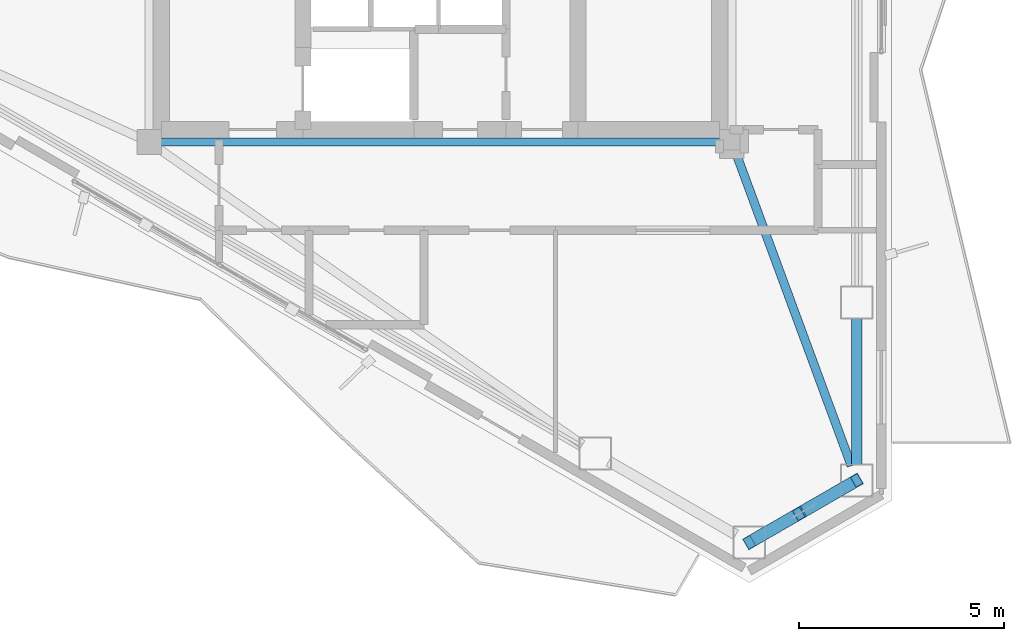
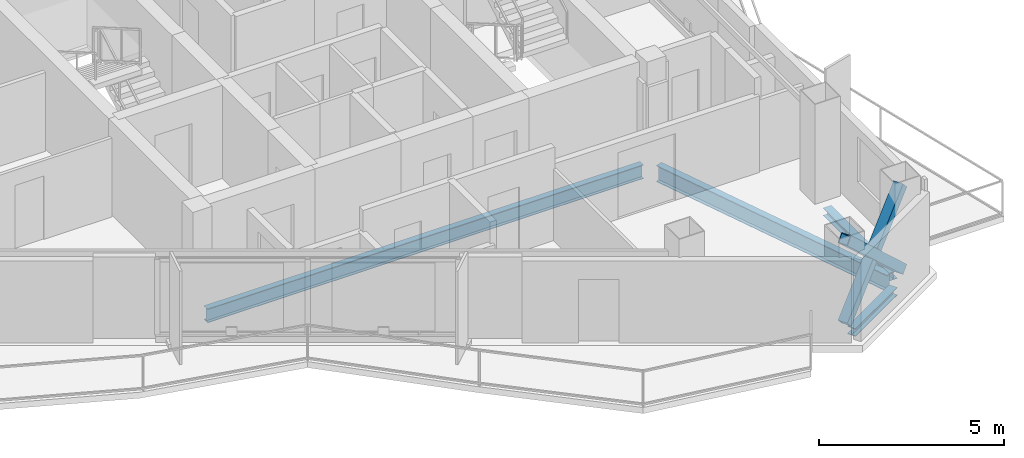
# One storey, part 6 of 18: 4 beams, 3 members.
"""IFC4 building model written with IfcOpenShell, lengths in metres."""

from ifc_helpers import new_model, si_unit, direction, frame, origin, origin_2d, place, context, subcontext, project, spatial, hollow_rectangle, i_section, extrude, material, material_profile, profile_set, type_object, element, save


model = new_model("IFC4")

# Units and contexts
model_context = context("Model", 3, precision=1e-05, world=origin(), true_north=direction((0.0, 1.0)))
body_context = subcontext(model_context, "Body", "Model", "MODEL_VIEW")
ifc_project = project(units=[si_unit("LENGTHUNIT", "METRE"), si_unit("AREAUNIT", "SQUARE_METRE"), si_unit("VOLUMEUNIT", "CUBIC_METRE"), si_unit("PLANEANGLEUNIT", "RADIAN"), si_unit("MASSUNIT", "GRAM", prefix="KILO")], contexts=[model_context])

# Site, building, storey
site_placement = place(None, origin())
site = spatial("IfcSite", under=ifc_project, at=site_placement, CompositionType="ELEMENT")
building_placement = place(site_placement, origin())
building = spatial("IfcBuilding", under=site, at=building_placement, Name="Mersakhor Tower and Convention Hall", CompositionType="ELEMENT")
storey_placement = place(building_placement, frame((0.0, 0.0, 236.39990234375)))
storey = spatial("IfcBuildingStorey", under=building, at=storey_placement, Name="L66", CompositionType="ELEMENT", Elevation=236.39990234375)

# Beams
ifc_material_1 = material(Name="Steel S355", Category="steel")
ifc_material_profile_1 = material_profile(ifc_material_1, i_section(OverallWidth=0.19140625, OverallDepth=0.4599609375, WebThickness=0.010009765625, FlangeThickness=0.01611328125, at=origin_2d()), Name="UB 457x191x82")
ifc_profile_set_1 = profile_set([ifc_material_profile_1], Name="Steel S355")
beam_type_1 = type_object("IfcBeamType", Name="BM-FB-457", PredefinedType="BEAM", material=ifc_profile_set_1)
beam_1_placement = place(storey_placement, frame((35.820068359375, 20.449951171875, -0.449951171875), z_axis=(-1.0, 0.0, 0.0), x_axis=(0.0, -1.0, 0.0)))
element("IfcBeam", 1, at=beam_1_placement, inside=storey, type_object=beam_type_1, Name="L66 Core Ring Tie Beam CRB-4", PredefinedType="BEAM", context=body_context, shape_type="SweptSolid", body=[
    extrude(i_section(OverallWidth=0.19140625, OverallDepth=0.4599609375, WebThickness=0.010009765625, FlangeThickness=0.01611328125, at=origin_2d()), origin(), (0.0, 0.0, 1.0), 13.64013671875),
])
ifc_material_2 = material(Name="Steel S355", Category="steel")
ifc_material_profile_2 = material_profile(ifc_material_2, i_section(OverallWidth=0.2099609375, OverallDepth=0.53662109375, WebThickness=0.0107421875, FlangeThickness=0.017333984375, at=origin_2d()), Name="UB 533x210x101")
ifc_profile_set_2 = profile_set([ifc_material_profile_2], Name="Steel S355")
beam_type_2 = type_object("IfcBeamType", Name="BM-FB-533", PredefinedType="BEAM", material=ifc_profile_set_2)
beam_2_placement = place(storey_placement, frame((36.197021484375, 20.187255859375, -0.48828125), z_axis=(0.346207764595, -0.938157867171, 0.0), x_axis=(0.938157867171, 0.346207764595, 0.0)))
element("IfcBeam", 2, at=beam_2_placement, inside=storey, type_object=beam_type_2, Name="L66 Primary Floor Girder FG-4", PredefinedType="BEAM", context=body_context, shape_type="SweptSolid", body=[
    extrude(i_section(OverallWidth=0.2099609375, OverallDepth=0.53662109375, WebThickness=0.0107421875, FlangeThickness=0.017333984375, at=origin_2d()), origin(), (0.0, 0.0, 1.0), 8.128662109375),
])
ifc_material_3 = material(Name="Steel S355", Category="steel")
ifc_material_profile_3 = material_profile(ifc_material_3, i_section(OverallWidth=0.25634765625, OverallDepth=0.26025390625, WebThickness=0.01025390625, FlangeThickness=0.017333984375, at=origin_2d()), Name="UC 254x254x89")
ifc_profile_set_3 = profile_set([ifc_material_profile_3], Name="Steel S355")
beam_type_3 = type_object("IfcBeamType", Name="BM-SPD-UC254", PredefinedType="SPANDREL", material=ifc_profile_set_3)
beam_3_placement = place(storey_placement, frame((39.142822265625, 16.1591796875, -0.35009765625), z_axis=(0.0, -1.0, 0.0), x_axis=(1.0, 0.0, 0.0)))
element("IfcBeam", 3, at=beam_3_placement, inside=storey, type_object=beam_type_3, Name="L66 Perimeter Spandrel Beam SPB-07", PredefinedType="SPANDREL", context=body_context, shape_type="SweptSolid", body=[
    extrude(i_section(OverallWidth=0.25634765625, OverallDepth=0.26025390625, WebThickness=0.01025390625, FlangeThickness=0.017333984375, at=origin_2d()), origin(), (0.0, 0.0, 1.0), 3.574462890625),
])
beam_4_placement = place(storey_placement, frame((38.813720703125, 12.0146484375, -0.35009765625), z_axis=(-0.866016678684, -0.500015112013, 0.0), x_axis=(0.500015112013, -0.866016678684, 0.0)))
element("IfcBeam", 4, at=beam_4_placement, inside=storey, type_object=beam_type_3, Name="L66 Perimeter Spandrel Beam SPB-08", PredefinedType="SPANDREL", context=body_context, shape_type="SweptSolid", body=[
    extrude(i_section(OverallWidth=0.25634765625, OverallDepth=0.26025390625, WebThickness=0.01025390625, FlangeThickness=0.017333984375, at=origin_2d()), origin(), (0.0, 0.0, 1.0), 2.2626953125),
])

# Members
ifc_material_4 = material(Name="Steel S355", Category="steel")
ifc_material_profile_4 = material_profile(ifc_material_4, hollow_rectangle(XDim=0.300048828125, YDim=0.300048828125, WallThickness=0.01611328125, at=origin_2d()), Name="SHS 300x300x16")
ifc_profile_set_4 = profile_set([ifc_material_profile_4], Name="Steel S355")
member_type = type_object("IfcMemberType", Name="MB-BRC-SHS300", PredefinedType="BRACE", material=ifc_profile_set_4)
member_placement = place(storey_placement, frame((39.142822265625, 12.20458984375, 0.150146484375), z_axis=(-0.637423019708, -0.367995569109, 0.676957277132), x_axis=(0.499978822259, -0.866037630414, 0.0)))
element("IfcMember", 5, at=member_placement, inside=storey, type_object=member_type, Name="L66 Chamfer Braced Frame Diagonal CB-2A", PredefinedType="BRACE", context=body_context, shape_type="SweptSolid", body=[
    extrude(hollow_rectangle(XDim=0.300048828125, YDim=0.300048828125, WallThickness=0.01611328125, at=origin_2d()), origin(), (0.0, 0.0, 1.0), 4.106689453125),
])
for number, where, z_axis, x_axis, name in (
    (6, (36.525146484375, 10.693359375, 0.150146484375), (0.6374128848, 0.367990943802, 0.676969334291), (-0.499980071345, 0.866036909293, 0.0), "L66 Chamfer Braced Frame Diagonal CB-2B Lower Half"),
    (7, (37.93505859375, 11.50732421875, 1.6474609375), (0.6374128848, 0.367990943802, 0.676969334291), (-0.499980071345, 0.866036909293, 0.0), "L66 Chamfer Braced Frame Diagonal CB-2B Upper Half"),
):
    element("IfcMember", number, at=place(storey_placement, frame(where, z_axis=z_axis, x_axis=x_axis)), inside=storey, type_object=member_type, Name=name, PredefinedType="BRACE", context=body_context, shape_type="SweptSolid", body=[
        extrude(hollow_rectangle(XDim=0.300048828125, YDim=0.300048828125, WallThickness=0.01611328125, at=origin_2d()), origin(), (0.0, 0.0, 1.0), 1.894775390625),
    ])

save(model, "model.ifc")
